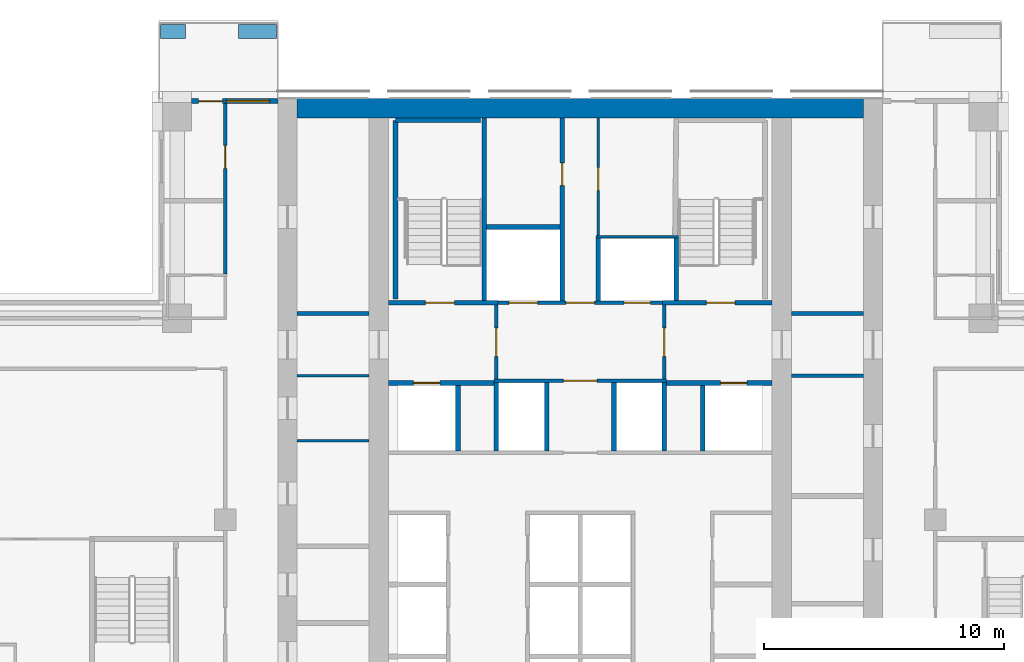
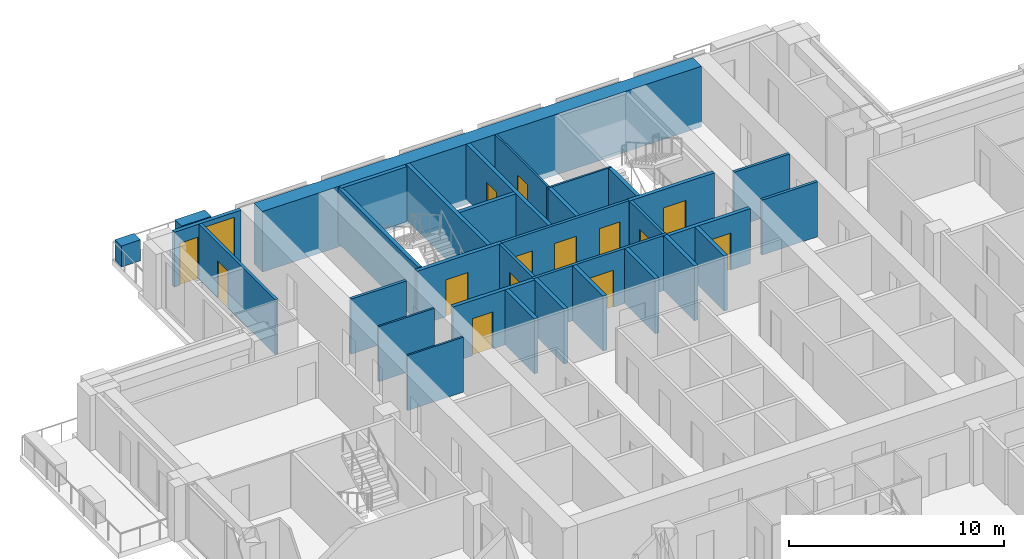
# One storey, part 11 of 17: 33 walls, 14 doors, 1 window, 15 openings.
"""IFC4 building model written with IfcOpenShell, lengths in metres."""

from ifc_helpers import new_model, si_unit, direction, frame, frame_2d, origin, place, context, subcontext, project, spatial, rectangle, extrude, material, layer, layer_set, type_object, element, fill, save


model = new_model("IFC4")

# Units and contexts
model_context = context("Model", 3, precision=1e-05, world=origin(), true_north=direction((0.0, 1.0)))
body_context = subcontext(model_context, "Body", "Model", "MODEL_VIEW")
ifc_project = project(units=[si_unit("LENGTHUNIT", "METRE"), si_unit("AREAUNIT", "SQUARE_METRE"), si_unit("VOLUMEUNIT", "CUBIC_METRE"), si_unit("PLANEANGLEUNIT", "RADIAN"), si_unit("MASSUNIT", "GRAM", prefix="KILO")], contexts=[model_context])

# Site, building, storey
site_placement = place(None, origin())
site = spatial("IfcSite", under=ifc_project, at=site_placement, CompositionType="ELEMENT")
building_placement = place(site_placement, origin())
building = spatial("IfcBuilding", under=site, at=building_placement, Name="Vermilion Ogive Tower", CompositionType="ELEMENT")
storey_placement = place(building_placement, frame((0.0, 0.0, 87.300048828125)))
storey = spatial("IfcBuildingStorey", under=building, at=storey_placement, Name="L21", CompositionType="ELEMENT", Elevation=87.300048828125)

# Walls
ifc_material_1 = material(Name="Concrete B80", Category="concrete")
ifc_layer_1 = layer(ifc_material_1, 0.800048828125)
ifc_layer_set_1 = layer_set([ifc_layer_1], Name="Core wall 800 B80")
wall_type_1 = type_object("IfcWallType", Name="Core wall 800 B80", PredefinedType="SHEAR", material=ifc_layer_set_1)
wall_1_placement = place(storey_placement, frame((-11.800048828125, 21.35009765625, -0.320068359375), z_axis=(0.0, 0.0, 1.0), x_axis=(1.0, 0.0, 0.0)))
element("IfcWall", 1, at=wall_1_placement, inside=storey, type_object=wall_type_1, Name="L21-CORE-N", PredefinedType="SHEAR", context=body_context, shape_type="SweptSolid", body=[
    extrude(rectangle(XDim=23.60009765625, YDim=0.800048828125, at=frame_2d((11.800048828125, 0.0))), origin(), (0.0, 0.0, 1.0), 3.449951171875),
])
ifc_material_2 = material(Name="Gypsum board partition on steel studs", Category="steel")
ifc_layer_2 = layer(ifc_material_2, 0.10009765625)
ifc_layer_set_2 = layer_set([ifc_layer_2], Name="Partition 100 bath")
wall_type_2 = type_object("IfcWallType", Name="Partition 100 bath", PredefinedType="PARTITIONING", material=ifc_layer_set_2)
wall_2_placement = place(storey_placement, frame((0.64990234375, 16.0, 0.0), z_axis=(0.0, 0.0, 1.0), x_axis=(1.0, 0.0, 0.0)))
element("IfcWall", 2, at=wall_2_placement, inside=storey, type_object=wall_type_2, Name="L21-CK-W-W020", PredefinedType="PARTITIONING", context=body_context, shape_type="SweptSolid", body=[
    extrude(rectangle(XDim=3.4501953125, YDim=0.10009765625, at=frame_2d((1.72509765625, 0.0))), origin(), (0.0, 0.0, 1.0), 3.1298828125),
])

# Wall, opening, door
wall_3_placement = place(storey_placement, frame((0.75, 16.050048828125, 0.0), z_axis=(0.0, 0.0, 1.0), x_axis=(0.0, 1.0, 0.0)))
wall_3 = element("IfcWall", 3, at=wall_3_placement, inside=storey, type_object=wall_type_2, Name="L21-CK-W-W032", PredefinedType="PARTITIONING", context=body_context, shape_type="SweptSolid", body=[
    extrude(rectangle(XDim=4.89892578125, YDim=0.10009765625, at=frame_2d((2.449462890625, 0.0))), origin(), (0.0, 0.0, 1.0), 3.1298828125),
])
opening_1_placement = place(wall_3_placement, frame((1.875, 0.0, 0.0)))
opening_1 = element("IfcOpeningElement", 4, at=opening_1_placement, cuts=wall_3, Name="Opening DAA146", PredefinedType="OPENING", context=body_context, shape_type="SweptSolid", body=[
    extrude(rectangle(XDim=0.949951171875, YDim=2.10009765625, at=frame_2d((0.47509765625, 1.050048828125))), frame((0.0, 0.06005859375, 0.0), z_axis=(0.0, -1.0, 0.0), x_axis=(1.0, 0.0, 0.0)), (0.0, 0.0, 1.0), 0.1201171875),
])
ifc_material_3 = material(Name="Timber door leaf", Category="wood")
door_type_1 = type_object("IfcDoorType", Name="Service door 950 x 2100 FD60", OperationType="SINGLE_SWING_LEFT", PredefinedType="DOOR", material=ifc_material_3)
door_1_placement = place(opening_1_placement, origin())
door_1 = element("IfcDoor", 5, at=door_1_placement, inside=storey, type_object=door_type_1, Name="L21-CK-D-D021", OperationType="SINGLE_SWING_LEFT", OverallHeight=2.10009765625, OverallWidth=0.949951171875, PredefinedType="DOOR", context=body_context, shape_type="SweptSolid", body=[
    extrude(rectangle(XDim=0.949951171875, YDim=2.10009765625, at=frame_2d((0.47509765625, 1.050048828125))), frame((0.0, 0.02490234375, 0.0), z_axis=(0.0, -1.0, 0.0), x_axis=(1.0, 0.0, 0.0)), (0.0, 0.0, 1.0), 0.050048828125),
])
fill(opening_1, door_1)

# Walls
for number, where, z_axis, x_axis, name in (
    (6, (-11.799072265625, 7.5, 0.0), (0.0, 0.0, 1.0), (1.0, 0.0, 0.0), "L21-CKW-W-W004"),
    (7, (-11.799072265625, 10.199951171875, 0.0), (0.0, 0.0, 1.0), (1.0, 0.0, 0.0), "L21-CKW-W-W005"),
):
    element("IfcWall", number, at=place(storey_placement, frame(where, z_axis=z_axis, x_axis=x_axis)), inside=storey, type_object=wall_type_2, Name=name, PredefinedType="PARTITIONING", context=body_context, shape_type="SweptSolid", body=[
        extrude(rectangle(XDim=2.998046875, YDim=0.10009765625, at=frame_2d((1.4990234375, 0.0))), origin(), (0.0, 0.0, 1.0), 3.1298828125),
    ])

# Wall, opening, door
ifc_material_4 = material(Name="Gypsum board partition on steel studs", Category="steel")
ifc_layer_3 = layer(ifc_material_4, 0.14990234375)
ifc_layer_set_3 = layer_set([ifc_layer_3], Name="Partition 150 corridor")
wall_type_3 = type_object("IfcWallType", Name="Partition 150 corridor", PredefinedType="PARTITIONING", material=ifc_layer_set_3)
wall_4_placement = place(storey_placement, frame((-14.800048828125, 14.449951171875, 0.0), z_axis=(0.0, 0.0, 1.0), x_axis=(0.0, 1.0, 0.0)))
wall_4 = element("IfcWall", 8, at=wall_4_placement, inside=storey, type_object=wall_type_3, Name="L21-W-W047", PredefinedType="PARTITIONING", context=body_context, shape_type="SweptSolid", body=[
    extrude(rectangle(XDim=7.10009765625, YDim=0.14990234375, at=frame_2d((3.550048828125, 0.0))), origin(), (0.0, 0.0, 1.0), 3.1298828125),
])
opening_2_placement = place(wall_4_placement, frame((4.400146484375, 0.0, 0.0)))
opening_2 = element("IfcOpeningElement", 9, at=opening_2_placement, cuts=wall_4, Name="Opening D2G1008", PredefinedType="OPENING", context=body_context, shape_type="SweptSolid", body=[
    extrude(rectangle(XDim=0.949951171875, YDim=2.10009765625, at=frame_2d((0.47509765625, 1.050048828125))), frame((0.0, 0.0849609375, 0.0), z_axis=(0.0, -1.0, 0.0), x_axis=(1.0, 0.0, 0.0)), (0.0, 0.0, 1.0), 0.169921875),
])
ifc_material_5 = material(Name="Timber door leaf", Category="wood")
door_type_2 = type_object("IfcDoorType", Name="Unit door 950 x 2100 FD30S", OperationType="SINGLE_SWING_LEFT", PredefinedType="DOOR", material=ifc_material_5)
door_2_placement = place(opening_2_placement, origin())
door_2 = element("IfcDoor", 10, at=door_2_placement, inside=storey, type_object=door_type_2, Name="L21-D-D008", OperationType="SINGLE_SWING_LEFT", OverallHeight=2.10009765625, OverallWidth=0.949951171875, PredefinedType="DOOR", context=body_context, shape_type="SweptSolid", body=[
    extrude(rectangle(XDim=0.949951171875, YDim=2.10009765625, at=frame_2d((0.47509765625, 1.050048828125))), frame((0.0, 0.02490234375, 0.0), z_axis=(0.0, -1.0, 0.0), x_axis=(1.0, 0.0, 0.0)), (0.0, 0.0, 1.0), 0.050048828125),
])
fill(opening_2, door_2)

wall_5_placement = place(storey_placement, frame((-3.60009765625, 10.0, 0.0), z_axis=(0.0, 0.0, 1.0), x_axis=(1.0, 0.0, 0.0)))
wall_5 = element("IfcWall", 11, at=wall_5_placement, inside=storey, type_object=wall_type_3, Name="L21-CK-W-W016", PredefinedType="PARTITIONING", context=body_context, shape_type="SweptSolid", body=[
    extrude(rectangle(XDim=7.2001953125, YDim=0.14990234375, at=frame_2d((3.60009765625, 0.0))), origin(), (0.0, 0.0, 1.0), 3.1298828125),
])
opening_3_placement = place(wall_5_placement, frame((2.900146484375, 0.0, 0.0)))
opening_3 = element("IfcOpeningElement", 12, at=opening_3_placement, cuts=wall_5, Name="Opening DAA141", PredefinedType="OPENING", context=body_context, shape_type="SweptSolid", body=[
    extrude(rectangle(XDim=1.39990234375, YDim=2.10009765625, at=frame_2d((0.699951171875, 1.050048828125))), frame((0.0, 0.0849609375, 0.0), z_axis=(0.0, -1.0, 0.0), x_axis=(1.0, 0.0, 0.0)), (0.0, 0.0, 1.0), 0.169921875),
])
ifc_material_6 = material(Name="Timber door leaf", Category="wood")
door_type_3 = type_object("IfcDoorType", Name="Lobby door 1400 x 2100 FD60S", OperationType="SINGLE_SWING_LEFT", PredefinedType="DOOR", material=ifc_material_6)
door_3_placement = place(opening_3_placement, origin())
door_3 = element("IfcDoor", 13, at=door_3_placement, inside=storey, type_object=door_type_3, Name="L21-CK-D-D016", OperationType="SINGLE_SWING_RIGHT", OverallHeight=2.10009765625, OverallWidth=1.39990234375, PredefinedType="DOOR", context=body_context, shape_type="SweptSolid", body=[
    extrude(rectangle(XDim=1.39990234375, YDim=2.10009765625, at=frame_2d((0.699951171875, 1.050048828125))), frame((0.0, 0.02490234375, 0.0), z_axis=(0.0, -1.0, 0.0), x_axis=(1.0, 0.0, 0.0)), (0.0, 0.0, 1.0), 0.050048828125),
])
fill(opening_3, door_3)

# Wall, openings, doors
wall_6_placement = place(storey_placement, frame((-3.574951171875, 13.25, 0.0), z_axis=(0.0, 0.0, 1.0), x_axis=(1.0, 0.0, 0.0)))
wall_6 = element("IfcWall", 14, at=wall_6_placement, inside=storey, type_object=wall_type_3, Name="L21-CK-W-W018", PredefinedType="PARTITIONING", context=body_context, shape_type="SweptSolid", body=[
    extrude(rectangle(XDim=7.14990234375, YDim=0.14990234375, at=frame_2d((3.574951171875, 0.0))), origin(), (0.0, 0.0, 1.0), 3.1298828125),
])
opening_4_placement = place(wall_6_placement, frame((0.599853515625, 0.0, 0.0)))
opening_4 = element("IfcOpeningElement", 15, at=opening_4_placement, cuts=wall_6, Name="Opening DAA160", PredefinedType="OPENING", context=body_context, shape_type="SweptSolid", body=[
    extrude(rectangle(XDim=1.199951171875, YDim=2.10009765625, at=frame_2d((0.60009765625, 1.050048828125))), frame((0.0, 0.0849609375, 0.0), z_axis=(0.0, -1.0, 0.0), x_axis=(1.0, 0.0, 0.0)), (0.0, 0.0, 1.0), 0.169921875),
])
opening_5_placement = place(wall_6_placement, frame((5.39990234375, 0.0, 0.0)))
opening_5 = element("IfcOpeningElement", 16, at=opening_5_placement, cuts=wall_6, Name="Opening DAA151", PredefinedType="OPENING", context=body_context, shape_type="SweptSolid", body=[
    extrude(rectangle(XDim=1.10009765625, YDim=2.10009765625, at=frame_2d((0.550048828125, 1.050048828125))), frame((0.0, 0.0849609375, 0.0), z_axis=(0.0, -1.0, 0.0), x_axis=(1.0, 0.0, 0.0)), (0.0, 0.0, 1.0), 0.169921875),
])
opening_6_placement = place(wall_6_placement, frame((2.974853515625, 0.0, 0.0)))
opening_6 = element("IfcOpeningElement", 17, at=opening_6_placement, cuts=wall_6, Name="Opening DAA142", PredefinedType="OPENING", context=body_context, shape_type="SweptSolid", body=[
    extrude(rectangle(XDim=1.199951171875, YDim=2.10009765625, at=frame_2d((0.60009765625, 1.050048828125))), frame((0.0, 0.0849609375, 0.0), z_axis=(0.0, -1.0, 0.0), x_axis=(1.0, 0.0, 0.0)), (0.0, 0.0, 1.0), 0.169921875),
])
ifc_material_7 = material(Name="Stainless steel", Category="steel")
door_type_4 = type_object("IfcDoorType", Name="Lift landing door 1100 x 2100", OperationType="SLIDING_TO_LEFT", PredefinedType="DOOR", material=ifc_material_7)
door_4_placement = place(opening_5_placement, origin())
door_4 = element("IfcDoor", 18, at=door_4_placement, inside=storey, type_object=door_type_4, Name="L21-CK-D-D018", OperationType="SLIDING_TO_LEFT", OverallHeight=2.10009765625, OverallWidth=1.10009765625, PredefinedType="DOOR", context=body_context, shape_type="SweptSolid", body=[
    extrude(rectangle(XDim=1.10009765625, YDim=2.10009765625, at=frame_2d((0.550048828125, 1.050048828125))), frame((0.0, 0.02490234375, 0.0), z_axis=(0.0, -1.0, 0.0), x_axis=(1.0, 0.0, 0.0)), (0.0, 0.0, 1.0), 0.050048828125),
])
fill(opening_5, door_4)
ifc_material_8 = material(Name="Stainless steel", Category="steel")
door_type_5 = type_object("IfcDoorType", Name="Lift landing door 1200 x 2100", OperationType="SLIDING_TO_LEFT", PredefinedType="DOOR", material=ifc_material_8)
door_5_placement = place(opening_4_placement, origin())
door_5 = element("IfcDoor", 19, at=door_5_placement, inside=storey, type_object=door_type_5, Name="L21-CK-D-D017", OperationType="SLIDING_TO_RIGHT", OverallHeight=2.10009765625, OverallWidth=1.199951171875, PredefinedType="DOOR", context=body_context, shape_type="SweptSolid", body=[
    extrude(rectangle(XDim=1.199951171875, YDim=2.10009765625, at=frame_2d((0.60009765625, 1.050048828125))), frame((0.0, 0.02490234375, 0.0), z_axis=(0.0, -1.0, 0.0), x_axis=(1.0, 0.0, 0.0)), (0.0, 0.0, 1.0), 0.050048828125),
])
fill(opening_4, door_5)
ifc_material_9 = material(Name="Timber door leaf", Category="wood")
door_type_6 = type_object("IfcDoorType", Name="Service door 1200 x 2100 FD60", OperationType="SINGLE_SWING_LEFT", PredefinedType="DOOR", material=ifc_material_9)
door_6_placement = place(opening_6_placement, origin())
door_6 = element("IfcDoor", 20, at=door_6_placement, inside=storey, type_object=door_type_6, Name="L21-CK-D-D019", OperationType="SINGLE_SWING_RIGHT", OverallHeight=2.10009765625, OverallWidth=1.199951171875, PredefinedType="DOOR", context=body_context, shape_type="SweptSolid", body=[
    extrude(rectangle(XDim=1.199951171875, YDim=2.10009765625, at=frame_2d((0.60009765625, 1.050048828125))), frame((0.0, 0.02490234375, 0.0), z_axis=(0.0, -1.0, 0.0), x_axis=(1.0, 0.0, 0.0)), (0.0, 0.0, 1.0), 0.050048828125),
])
fill(opening_6, door_6)

# Wall, opening, door
wall_7_placement = place(storey_placement, frame((-3.5, 10.074951171875, 0.0), z_axis=(0.0, 0.0, 1.0), x_axis=(0.0, 1.0, 0.0)))
wall_7 = element("IfcWall", 21, at=wall_7_placement, inside=storey, type_object=wall_type_3, Name="L21-CK-W-W026", PredefinedType="PARTITIONING", context=body_context, shape_type="SweptSolid", body=[
    extrude(rectangle(XDim=3.074951171875, YDim=0.14990234375, at=frame_2d((1.53759765625, 0.0))), origin(), (0.0, 0.0, 1.0), 3.1298828125),
])
opening_7_placement = place(wall_7_placement, frame((0.925048828125, 0.0, 0.0)))
opening_7 = element("IfcOpeningElement", 22, at=opening_7_placement, cuts=wall_7, Name="Opening DAA138", PredefinedType="OPENING", context=body_context, shape_type="SweptSolid", body=[
    extrude(rectangle(XDim=1.199951171875, YDim=2.10009765625, at=frame_2d((0.60009765625, 1.050048828125))), frame((0.0, 0.0849609375, 0.0), z_axis=(0.0, -1.0, 0.0), x_axis=(1.0, 0.0, 0.0)), (0.0, 0.0, 1.0), 0.169921875),
])
ifc_material_10 = material(Name="Timber door leaf", Category="wood")
door_type_7 = type_object("IfcDoorType", Name="Lobby door 1200 x 2100 FD60S", OperationType="SINGLE_SWING_LEFT", PredefinedType="DOOR", material=ifc_material_10)
door_7_placement = place(opening_7_placement, origin())
door_7 = element("IfcDoor", 23, at=door_7_placement, inside=storey, type_object=door_type_7, Name="L21-CK-D-D022", OperationType="SINGLE_SWING_RIGHT", OverallHeight=2.10009765625, OverallWidth=1.199951171875, PredefinedType="DOOR", context=body_context, shape_type="SweptSolid", body=[
    extrude(rectangle(XDim=1.199951171875, YDim=2.10009765625, at=frame_2d((0.60009765625, 1.050048828125))), frame((0.0, 0.02490234375, 0.0), z_axis=(0.0, -1.0, 0.0), x_axis=(1.0, 0.0, 0.0)), (0.0, 0.0, 1.0), 0.050048828125),
])
fill(opening_7, door_7)

wall_8_placement = place(storey_placement, frame((3.5, 10.074951171875, 0.0), z_axis=(0.0, 0.0, 1.0), x_axis=(0.0, 1.0, 0.0)))
wall_8 = element("IfcWall", 24, at=wall_8_placement, inside=storey, type_object=wall_type_3, Name="L21-CK-W-W036", PredefinedType="PARTITIONING", context=body_context, shape_type="SweptSolid", body=[
    extrude(rectangle(XDim=3.074951171875, YDim=0.14990234375, at=frame_2d((1.53759765625, 0.0))), origin(), (0.0, 0.0, 1.0), 3.1298828125),
])
opening_8_placement = place(wall_8_placement, frame((0.925048828125, 0.0, 0.0)))
opening_8 = element("IfcOpeningElement", 25, at=opening_8_placement, cuts=wall_8, Name="Opening DAA139", PredefinedType="OPENING", context=body_context, shape_type="SweptSolid", body=[
    extrude(rectangle(XDim=1.199951171875, YDim=2.10009765625, at=frame_2d((0.60009765625, 1.050048828125))), frame((0.0, 0.0849609375, 0.0), z_axis=(0.0, -1.0, 0.0), x_axis=(1.0, 0.0, 0.0)), (0.0, 0.0, 1.0), 0.169921875),
])
door_8_placement = place(opening_8_placement, origin())
door_8 = element("IfcDoor", 26, at=door_8_placement, inside=storey, type_object=door_type_7, Name="L21-CK-D-D023", OperationType="SINGLE_SWING_LEFT", OverallHeight=2.10009765625, OverallWidth=1.199951171875, PredefinedType="DOOR", context=body_context, shape_type="SweptSolid", body=[
    extrude(rectangle(XDim=1.199951171875, YDim=2.10009765625, at=frame_2d((0.60009765625, 1.050048828125))), frame((0.0, 0.02490234375, 0.0), z_axis=(0.0, -1.0, 0.0), x_axis=(1.0, 0.0, 0.0)), (0.0, 0.0, 1.0), 0.050048828125),
])
fill(opening_8, door_8)

# Walls
for number, where, z_axis, x_axis, name in (
    (27, (-11.799072265625, 12.800048828125, 0.0), (0.0, 0.0, 1.0), (1.0, 0.0, 0.0), "L21-CKW-W-W006"),
    (28, (8.801025390625, 10.199951171875, 0.0), (0.0, 0.0, 1.0), (1.0, 0.0, 0.0), "L21-CKE-W-W004"),
    (29, (8.801025390625, 12.800048828125, 0.0), (0.0, 0.0, 1.0), (1.0, 0.0, 0.0), "L21-CKE-W-W005"),
):
    element("IfcWall", number, at=place(storey_placement, frame(where, z_axis=z_axis, x_axis=x_axis)), inside=storey, type_object=wall_type_3, Name=name, PredefinedType="PARTITIONING", context=body_context, shape_type="SweptSolid", body=[
        extrude(rectangle(XDim=2.998046875, YDim=0.14990234375, at=frame_2d((1.4990234375, 0.0))), origin(), (0.0, 0.0, 1.0), 3.1298828125),
    ])

# Wall, opening, door
ifc_material_11 = material(Name="Gypsum board partition on steel studs", Category="steel")
ifc_layer_4 = layer(ifc_material_11, 0.199951171875)
ifc_layer_set_4 = layer_set([ifc_layer_4], Name="Partition 200 party")
wall_type_4 = type_object("IfcWallType", Name="Partition 200 party", PredefinedType="PARTITIONING", material=ifc_layer_set_4)
wall_9_placement = place(storey_placement, frame((-7.9990234375, 9.89990234375, 0.0), z_axis=(0.0, 0.0, 1.0), x_axis=(1.0, 0.0, 0.0)))
wall_9 = element("IfcWall", 30, at=wall_9_placement, inside=storey, type_object=wall_type_4, Name="L21-CK-W-W014", PredefinedType="PARTITIONING", context=body_context, shape_type="SweptSolid", body=[
    extrude(rectangle(XDim=4.39892578125, YDim=0.199951171875, at=frame_2d((2.199462890625, 0.0))), origin(), (0.0, 0.0, 1.0), 3.1298828125),
])
opening_9_placement = place(wall_9_placement, frame((1.049072265625, 0.0, 0.0)))
opening_9 = element("IfcOpeningElement", 31, at=opening_9_placement, cuts=wall_9, Name="Opening DAA159", PredefinedType="OPENING", context=body_context, shape_type="SweptSolid", body=[
    extrude(rectangle(XDim=1.10009765625, YDim=2.10009765625, at=frame_2d((0.550048828125, 1.050048828125))), frame((0.0, 0.10986328125, 0.0), z_axis=(0.0, -1.0, 0.0), x_axis=(1.0, 0.0, 0.0)), (0.0, 0.0, 1.0), 0.219970703125),
])
door_9_placement = place(opening_9_placement, origin())
door_9 = element("IfcDoor", 32, at=door_9_placement, inside=storey, type_object=door_type_4, Name="L21-CK-D-D012", OperationType="SLIDING_TO_LEFT", OverallHeight=2.10009765625, OverallWidth=1.10009765625, PredefinedType="DOOR", context=body_context, shape_type="SweptSolid", body=[
    extrude(rectangle(XDim=1.10009765625, YDim=2.10009765625, at=frame_2d((0.550048828125, 1.050048828125))), frame((0.0, 0.02490234375, 0.0), z_axis=(0.0, -1.0, 0.0), x_axis=(1.0, 0.0, 0.0)), (0.0, 0.0, 1.0), 0.050048828125),
])
fill(opening_9, door_9)

wall_10_placement = place(storey_placement, frame((3.60009765625, 9.89990234375, 0.0), z_axis=(0.0, 0.0, 1.0), x_axis=(1.0, 0.0, 0.0)))
wall_10 = element("IfcWall", 33, at=wall_10_placement, inside=storey, type_object=wall_type_4, Name="L21-CK-W-W015", PredefinedType="PARTITIONING", context=body_context, shape_type="SweptSolid", body=[
    extrude(rectangle(XDim=4.39892578125, YDim=0.199951171875, at=frame_2d((2.199462890625, 0.0))), origin(), (0.0, 0.0, 1.0), 3.1298828125),
])
opening_10_placement = place(wall_10_placement, frame((2.25, 0.0, 0.0)))
opening_10 = element("IfcOpeningElement", 34, at=opening_10_placement, cuts=wall_10, Name="Opening DAA150", PredefinedType="OPENING", context=body_context, shape_type="SweptSolid", body=[
    extrude(rectangle(XDim=1.10009765625, YDim=2.10009765625, at=frame_2d((0.550048828125, 1.050048828125))), frame((0.0, 0.10986328125, 0.0), z_axis=(0.0, -1.0, 0.0), x_axis=(1.0, 0.0, 0.0)), (0.0, 0.0, 1.0), 0.219970703125),
])
door_10_placement = place(opening_10_placement, origin())
door_10 = element("IfcDoor", 35, at=door_10_placement, inside=storey, type_object=door_type_4, Name="L21-CK-D-D014", OperationType="SLIDING_TO_LEFT", OverallHeight=2.10009765625, OverallWidth=1.10009765625, PredefinedType="DOOR", context=body_context, shape_type="SweptSolid", body=[
    extrude(rectangle(XDim=1.10009765625, YDim=2.10009765625, at=frame_2d((0.550048828125, 1.050048828125))), frame((0.0, 0.02490234375, 0.0), z_axis=(0.0, -1.0, 0.0), x_axis=(1.0, 0.0, 0.0)), (0.0, 0.0, 1.0), 0.050048828125),
])
fill(opening_10, door_10)

# Walls
wall_11_placement = place(storey_placement, frame((-3.89990234375, 16.39990234375, 0.0), z_axis=(0.0, 0.0, 1.0), x_axis=(1.0, 0.0, 0.0)))
element("IfcWall", 36, at=wall_11_placement, inside=storey, type_object=wall_type_4, Name="L21-CK-W-W021", PredefinedType="PARTITIONING", context=body_context, shape_type="SweptSolid", body=[
    extrude(rectangle(XDim=3.0498046875, YDim=0.199951171875, at=frame_2d((1.52490234375, 0.0))), origin(), (0.0, 0.0, 1.0), 3.1298828125),
])
wall_12_placement = place(storey_placement, frame((-5.10009765625, 7.074951171875, 0.0), z_axis=(0.0, 0.0, 1.0), x_axis=(0.0, 1.0, 0.0)))
element("IfcWall", 37, at=wall_12_placement, inside=storey, type_object=wall_type_4, Name="L21-CK-W-W023", PredefinedType="PARTITIONING", context=body_context, shape_type="SweptSolid", body=[
    extrude(rectangle(XDim=2.72509765625, YDim=0.199951171875, at=frame_2d((1.362548828125, 0.0))), origin(), (0.0, 0.0, 1.0), 3.1298828125),
])
for number, where, z_axis, x_axis, name in (
    (38, (-3.5, 7.074951171875, 0.0), (0.0, 0.0, 1.0), (0.0, 1.0, 0.0), "L21-CK-W-W025"),
    (39, (-1.39990234375, 7.074951171875, 0.0), (0.0, 0.0, 1.0), (0.0, 1.0, 0.0), "L21-CK-W-W028"),
):
    element("IfcWall", number, at=place(storey_placement, frame(where, z_axis=z_axis, x_axis=x_axis)), inside=storey, type_object=wall_type_4, Name=name, PredefinedType="PARTITIONING", context=body_context, shape_type="SweptSolid", body=[
        extrude(rectangle(XDim=2.85009765625, YDim=0.199951171875, at=frame_2d((1.425048828125, 0.0))), origin(), (0.0, 0.0, 1.0), 3.1298828125),
    ])

# Wall, opening, door
wall_13_placement = place(storey_placement, frame((-0.75, 13.324951171875, 0.0), z_axis=(0.0, 0.0, 1.0), x_axis=(0.0, 1.0, 0.0)))
wall_13 = element("IfcWall", 40, at=wall_13_placement, inside=storey, type_object=wall_type_4, Name="L21-CK-W-W029", PredefinedType="PARTITIONING", context=body_context, shape_type="SweptSolid", body=[
    extrude(rectangle(XDim=7.6240234375, YDim=0.199951171875, at=frame_2d((3.81201171875, 0.0))), origin(), (0.0, 0.0, 1.0), 3.1298828125),
])
opening_11_placement = place(wall_13_placement, frame((4.800048828125, 0.0, 0.0)))
opening_11 = element("IfcOpeningElement", 41, at=opening_11_placement, cuts=wall_13, Name="Opening DAA145", PredefinedType="OPENING", context=body_context, shape_type="SweptSolid", body=[
    extrude(rectangle(XDim=0.949951171875, YDim=2.10009765625, at=frame_2d((0.47509765625, 1.050048828125))), frame((0.0, 0.10986328125, 0.0), z_axis=(0.0, -1.0, 0.0), x_axis=(1.0, 0.0, 0.0)), (0.0, 0.0, 1.0), 0.219970703125),
])
door_11_placement = place(opening_11_placement, origin())
door_11 = element("IfcDoor", 42, at=door_11_placement, inside=storey, type_object=door_type_1, Name="L21-CK-D-D020", OperationType="SINGLE_SWING_RIGHT", OverallHeight=2.10009765625, OverallWidth=0.949951171875, PredefinedType="DOOR", context=body_context, shape_type="SweptSolid", body=[
    extrude(rectangle(XDim=0.949951171875, YDim=2.10009765625, at=frame_2d((0.47509765625, 1.050048828125))), frame((0.0, 0.02490234375, 0.0), z_axis=(0.0, -1.0, 0.0), x_axis=(1.0, 0.0, 0.0)), (0.0, 0.0, 1.0), 0.050048828125),
])
fill(opening_11, door_11)

# Walls
wall_14_placement = place(storey_placement, frame((0.75, 13.324951171875, 0.0), z_axis=(0.0, 0.0, 1.0), x_axis=(0.0, 1.0, 0.0)))
element("IfcWall", 43, at=wall_14_placement, inside=storey, type_object=wall_type_4, Name="L21-CK-W-W031", PredefinedType="PARTITIONING", context=body_context, shape_type="SweptSolid", body=[
    extrude(rectangle(XDim=2.625, YDim=0.199951171875, at=frame_2d((1.3125, 0.0))), origin(), (0.0, 0.0, 1.0), 3.1298828125),
])
for number, where, z_axis, x_axis, name in (
    (44, (1.39990234375, 7.074951171875, 0.0), (0.0, 0.0, 1.0), (0.0, 1.0, 0.0), "L21-CK-W-W033"),
    (45, (3.5, 7.074951171875, 0.0), (0.0, 0.0, 1.0), (0.0, 1.0, 0.0), "L21-CK-W-W035"),
):
    element("IfcWall", number, at=place(storey_placement, frame(where, z_axis=z_axis, x_axis=x_axis)), inside=storey, type_object=wall_type_4, Name=name, PredefinedType="PARTITIONING", context=body_context, shape_type="SweptSolid", body=[
        extrude(rectangle(XDim=2.85009765625, YDim=0.199951171875, at=frame_2d((1.425048828125, 0.0))), origin(), (0.0, 0.0, 1.0), 3.1298828125),
    ])
wall_15_placement = place(storey_placement, frame((5.10009765625, 7.074951171875, 0.0), z_axis=(0.0, 0.0, 1.0), x_axis=(0.0, 1.0, 0.0)))
element("IfcWall", 46, at=wall_15_placement, inside=storey, type_object=wall_type_4, Name="L21-CK-W-W039", PredefinedType="PARTITIONING", context=body_context, shape_type="SweptSolid", body=[
    extrude(rectangle(XDim=2.72509765625, YDim=0.199951171875, at=frame_2d((1.362548828125, 0.0))), origin(), (0.0, 0.0, 1.0), 3.1298828125),
])

# Wall, opening, door
ifc_material_12 = material(Name="Concrete B60", Category="concrete")
ifc_layer_5 = layer(ifc_material_12, 0.199951171875)
ifc_layer_set_5 = layer_set([ifc_layer_5], Name="Stair shaft wall 200 Concrete B60")
wall_type_5 = type_object("IfcWallType", Name="Stair shaft wall 200 Concrete B60", PredefinedType="SOLIDWALL", material=ifc_layer_set_5)
wall_16_placement = place(storey_placement, frame((-7.9990234375, 13.25, 0.0), z_axis=(0.0, 0.0, 1.0), x_axis=(1.0, 0.0, 0.0)))
wall_16 = element("IfcWall", 47, at=wall_16_placement, inside=storey, type_object=wall_type_5, Name="L21-CK-W-W017", PredefinedType="SOLIDWALL", context=body_context, shape_type="SweptSolid", body=[
    extrude(rectangle(XDim=4.573974609375, YDim=0.199951171875, at=frame_2d((2.287109375, 0.0))), origin(), (0.0, 0.0, 1.0), 3.1298828125),
])
opening_12_placement = place(wall_16_placement, frame((1.549072265625, 0.0, 0.0)))
opening_12 = element("IfcOpeningElement", 48, at=opening_12_placement, cuts=wall_16, Name="Opening DAA147", PredefinedType="OPENING", context=body_context, shape_type="SweptSolid", body=[
    extrude(rectangle(XDim=1.199951171875, YDim=2.10009765625, at=frame_2d((0.60009765625, 1.050048828125))), frame((0.0, 0.10986328125, 0.0), z_axis=(0.0, -1.0, 0.0), x_axis=(1.0, 0.0, 0.0)), (0.0, 0.0, 1.0), 0.219970703125),
])
ifc_material_13 = material(Name="Timber door leaf", Category="wood")
door_type_8 = type_object("IfcDoorType", Name="Stair door 1200 x 2100 FD60S", OperationType="SINGLE_SWING_LEFT", PredefinedType="DOOR", material=ifc_material_13)
door_12_placement = place(opening_12_placement, origin())
door_12 = element("IfcDoor", 49, at=door_12_placement, inside=storey, type_object=door_type_8, Name="L21-CK-D-D011", OperationType="SINGLE_SWING_LEFT", OverallHeight=2.10009765625, OverallWidth=1.199951171875, PredefinedType="DOOR", context=body_context, shape_type="SweptSolid", body=[
    extrude(rectangle(XDim=1.199951171875, YDim=2.10009765625, at=frame_2d((0.60009765625, 1.050048828125))), frame((0.0, 0.02490234375, 0.0), z_axis=(0.0, -1.0, 0.0), x_axis=(1.0, 0.0, 0.0)), (0.0, 0.0, 1.0), 0.050048828125),
])
fill(opening_12, door_12)

wall_17_placement = place(storey_placement, frame((3.425048828125, 13.25, 0.0), z_axis=(0.0, 0.0, 1.0), x_axis=(1.0, 0.0, 0.0)))
wall_17 = element("IfcWall", 50, at=wall_17_placement, inside=storey, type_object=wall_type_5, Name="L21-CK-W-W019", PredefinedType="SOLIDWALL", context=body_context, shape_type="SweptSolid", body=[
    extrude(rectangle(XDim=4.573974609375, YDim=0.199951171875, at=frame_2d((2.287109375, 0.0))), origin(), (0.0, 0.0, 1.0), 3.1298828125),
])
opening_13_placement = place(wall_17_placement, frame((1.824951171875, 0.0, 0.0)))
opening_13 = element("IfcOpeningElement", 51, at=opening_13_placement, cuts=wall_17, Name="Opening DAA148", PredefinedType="OPENING", context=body_context, shape_type="SweptSolid", body=[
    extrude(rectangle(XDim=1.199951171875, YDim=2.10009765625, at=frame_2d((0.60009765625, 1.050048828125))), frame((0.0, 0.10986328125, 0.0), z_axis=(0.0, -1.0, 0.0), x_axis=(1.0, 0.0, 0.0)), (0.0, 0.0, 1.0), 0.219970703125),
])
door_13_placement = place(opening_13_placement, origin())
door_13 = element("IfcDoor", 52, at=door_13_placement, inside=storey, type_object=door_type_8, Name="L21-CK-D-D013", OperationType="SINGLE_SWING_RIGHT", OverallHeight=2.10009765625, OverallWidth=1.199951171875, PredefinedType="DOOR", context=body_context, shape_type="SweptSolid", body=[
    extrude(rectangle(XDim=1.199951171875, YDim=2.10009765625, at=frame_2d((0.60009765625, 1.050048828125))), frame((0.0, 0.02490234375, 0.0), z_axis=(0.0, -1.0, 0.0), x_axis=(1.0, 0.0, 0.0)), (0.0, 0.0, 1.0), 0.050048828125),
])
fill(opening_13, door_13)

# Walls
wall_18_placement = place(storey_placement, frame((-4.0, 13.35009765625, 0.0), z_axis=(0.0, 0.0, 1.0), x_axis=(0.0, 1.0, 0.0)))
element("IfcWall", 53, at=wall_18_placement, inside=storey, type_object=wall_type_5, Name="L21-CK-W-W024", PredefinedType="SOLIDWALL", context=body_context, shape_type="SweptSolid", body=[
    extrude(rectangle(XDim=7.598876953125, YDim=0.199951171875, at=frame_2d((3.79931640625, 0.0))), origin(), (0.0, 0.0, 1.0), 3.1298828125),
])
wall_19_placement = place(storey_placement, frame((4.0, 13.35009765625, 0.0), z_axis=(0.0, 0.0, 1.0), x_axis=(0.0, 1.0, 0.0)))
element("IfcWall", 54, at=wall_19_placement, inside=storey, type_object=wall_type_5, Name="L21-CK-W-W037", PredefinedType="SOLIDWALL", context=body_context, shape_type="SweptSolid", body=[
    extrude(rectangle(XDim=2.599853515625, YDim=0.199951171875, at=frame_2d((1.2998046875, 0.0))), origin(), (0.0, 0.0, 1.0), 3.1298828125),
])
wall_20_placement = place(storey_placement, frame((-7.699951171875, 13.39990234375, 0.0), z_axis=(0.0, 0.0, 1.0), x_axis=(0.0, 1.0, 0.0)))
element("IfcWall", 55, at=wall_20_placement, inside=storey, type_object=wall_type_5, Name="L21-SW-R022-W1", PredefinedType="SOLIDWALL", context=body_context, shape_type="SweptSolid", body=[
    extrude(rectangle(XDim=7.4501953125, YDim=0.199951171875, at=frame_2d((3.72509765625, 0.0))), origin(), (0.0, 0.0, 1.0), 3.1298828125),
])
wall_21_placement = place(storey_placement, frame((-7.699951171875, 20.85009765625, 0.0), z_axis=(0.0, 0.0, 1.0), x_axis=(1.0, 0.0, 0.0)))
element("IfcWall", 56, at=wall_21_placement, inside=storey, type_object=wall_type_5, Name="L21-SW-R022-N1", PredefinedType="SOLIDWALL", context=body_context, shape_type="SweptSolid", body=[
    extrude(rectangle(XDim=3.550048828125, YDim=0.199951171875, at=frame_2d((1.77490234375, 0.0))), origin(), (0.0, 0.0, 1.0), 3.1298828125),
])
ifc_material_14 = material(Name="Concrete B40", Category="concrete")
ifc_layer_6 = layer(ifc_material_14, 0.60009765625)
ifc_layer_set_6 = layer_set([ifc_layer_6], Name="Structural planter")
wall_type_6 = type_object("IfcWallType", Name="Structural planter", PredefinedType="USERDEFINED", material=ifc_layer_set_6)
wall_22_placement = place(storey_placement, frame((-12.659912109375, 24.550048828125, -0.0400390625), z_axis=(0.0, 0.0, 1.0), x_axis=(-1.0, 0.0, 0.0)))
element("IfcWall", 57, at=wall_22_placement, inside=storey, type_object=wall_type_6, Name="Planter N201A1", ObjectType="PLANTER", PredefinedType="USERDEFINED", context=body_context, shape_type="SweptSolid", body=[
    extrude(rectangle(XDim=1.590087890625, YDim=0.60009765625, at=frame_2d((0.794921875, 0.0))), origin(), (0.0, 0.0, 1.0), 1.199951171875),
])
wall_23_placement = place(storey_placement, frame((-16.449951171875, 24.550048828125, -0.0400390625), z_axis=(0.0, 0.0, 1.0), x_axis=(-1.0, 0.0, 0.0)))
element("IfcWall", 58, at=wall_23_placement, inside=storey, type_object=wall_type_6, Name="Planter N201A2", ObjectType="PLANTER", PredefinedType="USERDEFINED", context=body_context, shape_type="SweptSolid", body=[
    extrude(rectangle(XDim=1.0400390625, YDim=0.60009765625, at=frame_2d((0.52001953125, 0.0))), origin(), (0.0, 0.0, 1.0), 1.199951171875),
])

# Wall, openings, door, window
ifc_material_15 = material(Name="Aluminium window wall framing", Category="aluminium")
ifc_layer_7 = layer(ifc_material_15, 0.199951171875)
ifc_layer_set_7 = layer_set([ifc_layer_7], Name="Window wall")
wall_type_7 = type_object("IfcWallType", Name="Window wall", PredefinedType="STANDARD", material=ifc_layer_set_7)
wall_24_placement = place(storey_placement, frame((-12.60009765625, 21.64990234375, 0.0), z_axis=(0.0, 0.0, 1.0), x_axis=(-1.0, 0.0, 0.0)))
wall_24 = element("IfcWall", 59, at=wall_24_placement, inside=storey, type_object=wall_type_7, Name="Window wall N21", PredefinedType="STANDARD", context=body_context, shape_type="SweptSolid", body=[
    extrude(rectangle(XDim=3.599853515625, YDim=0.199951171875, at=frame_2d((1.7998046875, 0.0))), origin(), (0.0, 0.0, 1.0), 3.1298828125),
])
opening_14_placement = place(wall_24_placement, frame((0.35009765625, 0.0, 0.199951171875)))
opening_14 = element("IfcOpeningElement", 60, at=opening_14_placement, cuts=wall_24, Name="Opening W1-N296", PredefinedType="OPENING", context=body_context, shape_type="SweptSolid", body=[
    extrude(rectangle(XDim=1.800048828125, YDim=2.64990234375, at=frame_2d((0.89990234375, 1.324951171875))), frame((0.0, 0.10986328125, 0.0), z_axis=(0.0, -1.0, 0.0), x_axis=(1.0, 0.0, 0.0)), (0.0, 0.0, 1.0), 0.219970703125),
])
opening_15_placement = place(wall_24_placement, frame((2.300048828125, 0.0, 0.0)))
opening_15 = element("IfcOpeningElement", 61, at=opening_15_placement, cuts=wall_24, Name="Opening D1-N296", PredefinedType="OPENING", context=body_context, shape_type="SweptSolid", body=[
    extrude(rectangle(XDim=1.0, YDim=2.39990234375, at=frame_2d((0.5, 1.199951171875))), frame((0.0, 0.10986328125, 0.0), z_axis=(0.0, -1.0, 0.0), x_axis=(1.0, 0.0, 0.0)), (0.0, 0.0, 1.0), 0.219970703125),
])
ifc_material_16 = material(Name="Aluminium framed glazed door", Category="aluminium")
door_type_9 = type_object("IfcDoorType", Name="Balcony door D1", OperationType="SINGLE_SWING_LEFT", PredefinedType="DOOR", material=ifc_material_16)
door_14_placement = place(opening_15_placement, origin())
door_14 = element("IfcDoor", 62, at=door_14_placement, inside=storey, type_object=door_type_9, Name="Balcony door N296", OperationType="SINGLE_SWING_LEFT", OverallHeight=2.39990234375, OverallWidth=1.0, PredefinedType="DOOR", context=body_context, shape_type="SweptSolid", body=[
    extrude(rectangle(XDim=1.0, YDim=2.39990234375, at=frame_2d((0.5, 1.199951171875))), frame((0.0, 0.02490234375, 0.0), z_axis=(0.0, -1.0, 0.0), x_axis=(1.0, 0.0, 0.0)), (0.0, 0.0, 1.0), 0.050048828125),
])
fill(opening_15, door_14)
ifc_material_17 = material(Name="Aluminium framed double glazing", Category="aluminium")
window_type = type_object("IfcWindowType", Name="Guest window W1", PartitioningType="SINGLE_PANEL", PredefinedType="WINDOW", material=ifc_material_17)
window_placement = place(opening_14_placement, origin())
window = element("IfcWindow", 63, at=window_placement, inside=storey, type_object=window_type, Name="Window N296", OverallHeight=2.64990234375, OverallWidth=1.800048828125, PartitioningType="SINGLE_PANEL", PredefinedType="WINDOW", context=body_context, shape_type="SweptSolid", body=[
    extrude(rectangle(XDim=1.800048828125, YDim=2.64990234375, at=frame_2d((0.89990234375, 1.324951171875))), frame((0.0, 0.030029296875, 0.0), z_axis=(0.0, -1.0, 0.0), x_axis=(1.0, 0.0, 0.0)), (0.0, 0.0, 1.0), 0.06005859375),
])
fill(opening_14, window)

save(model, "model.ifc")
